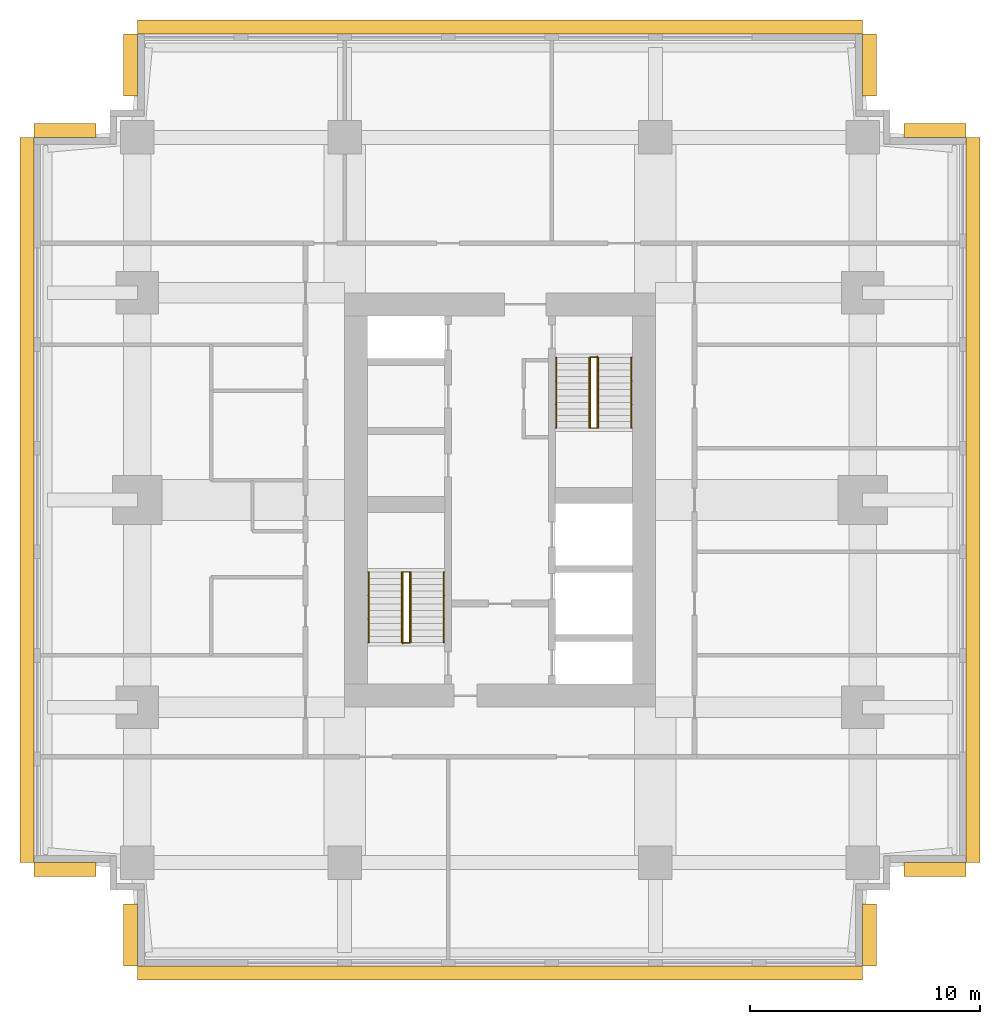
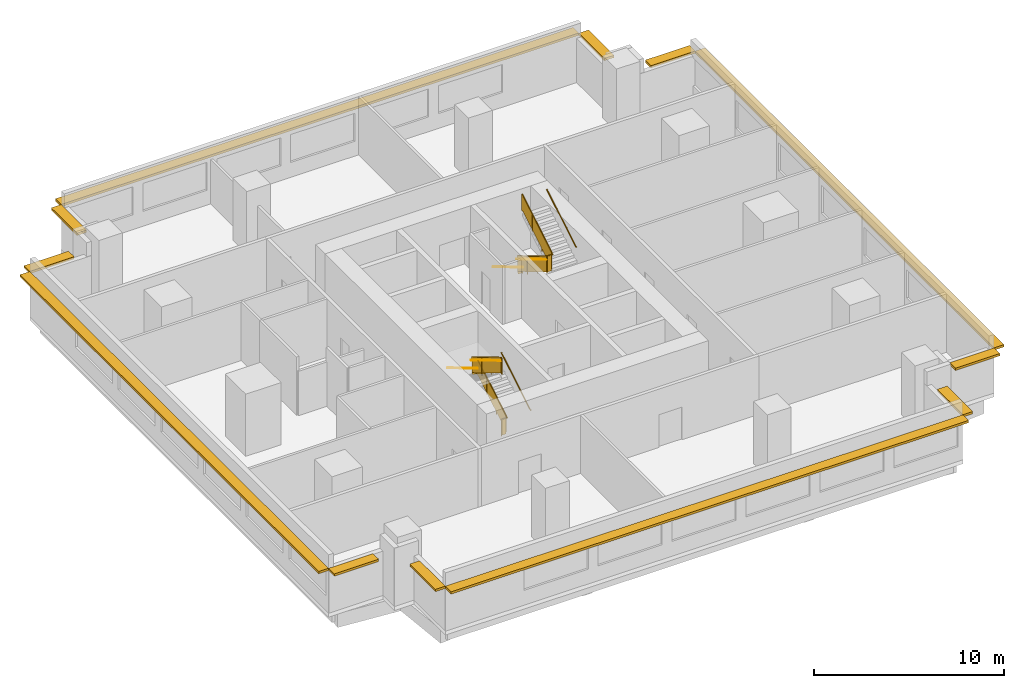
# One storey, part 5 of 5: 12 shading devices, 10 railings.
"""IFC4 building model written with IfcOpenShell, lengths in metres."""

from ifc_helpers import new_model, si_unit, direction, frame, origin, origin_2d, place, context, subcontext, project, spatial, polyline, rectangle, circle, outline, extrude, material, layer, layer_set, type_object, element, save


model = new_model("IFC4")

# Units and contexts
model_context = context("Model", 3, precision=1e-05, world=origin(), true_north=direction((0.0, 1.0)))
body_context = subcontext(model_context, "Body", "Model", "MODEL_VIEW")
ifc_project = project(units=[si_unit("LENGTHUNIT", "METRE"), si_unit("AREAUNIT", "SQUARE_METRE"), si_unit("VOLUMEUNIT", "CUBIC_METRE"), si_unit("PLANEANGLEUNIT", "RADIAN"), si_unit("MASSUNIT", "GRAM", prefix="KILO")], contexts=[model_context])

# Site, building, storey
site_placement = place(None, origin())
site = spatial("IfcSite", under=ifc_project, at=site_placement, CompositionType="ELEMENT")
building_placement = place(site_placement, origin())
building = spatial("IfcBuilding", under=site, at=building_placement, Name="Namib Vertical Campus", CompositionType="ELEMENT")
storey_placement = place(building_placement, frame((0.0, 0.0, 257.0)))
storey = spatial("IfcBuildingStorey", under=building, at=storey_placement, Name="L60", CompositionType="ELEMENT", Elevation=257.0)

# Railings
ifc_material_1 = material(Name="Steel handrail", Category="steel")
railing_type_1 = type_object("IfcRailingType", Name="Handrail 900", PredefinedType="HANDRAIL", material=ifc_material_1)
railing_1_placement = place(storey_placement, frame((17.800048828125, 14.050048828125, 0.166748046875)))
element("IfcRailing", 1, at=railing_1_placement, inside=storey, type_object=railing_type_1, Name="Handrail HR1 A-S1 L60 1", PredefinedType="HANDRAIL", context=body_context, shape_type="SweptSolid", body=[
    extrude(circle(Radius=0.02392578125, at=origin_2d()), frame((0.0, 0.0, 0.8759765625), z_axis=(0.0, 0.859290745958, 0.51148745235), x_axis=(-1.0, 0.0, 0.0)), (0.0, 0.0, 1.0), 3.584228515625),
    extrude(circle(Radius=0.008056640625, at=origin_2d()), frame((0.0, 0.0, 0.8759765625), z_axis=(1.0, 0.0, 0.0), x_axis=(0.0, 0.0, 1.0)), (0.0, 0.0, 1.0), 0.050048828125),
    extrude(circle(Radius=0.008056640625, at=origin_2d()), frame((0.0, 1.026611328125, 1.48681640625), z_axis=(1.0, 0.0, 0.0), x_axis=(0.0, 0.0, 1.0)), (0.0, 0.0, 1.0), 0.050048828125),
    extrude(circle(Radius=0.008056640625, at=origin_2d()), frame((0.0, 2.05322265625, 2.09814453125), z_axis=(1.0, 0.0, 0.0), x_axis=(0.0, 0.0, 1.0)), (0.0, 0.0, 1.0), 0.050048828125),
    extrude(circle(Radius=0.008056640625, at=origin_2d()), frame((0.0, 3.079833984375, 2.708984375), z_axis=(1.0, 0.0, 0.0), x_axis=(0.0, 0.0, 1.0)), (0.0, 0.0, 1.0), 0.050048828125),
])
railing_2_placement = place(storey_placement, frame((14.550048828125, 17.1298828125, 2.166748046875)))
element("IfcRailing", 2, at=railing_2_placement, inside=storey, type_object=railing_type_1, Name="Handrail HR1 A-S1 L60 2", PredefinedType="HANDRAIL", context=body_context, shape_type="SweptSolid", body=[
    extrude(circle(Radius=0.02392578125, at=origin_2d()), frame((0.0, 0.0, 0.8759765625), z_axis=(0.0, -0.859290745958, 0.51148745235), x_axis=(1.0, 0.0, 0.0)), (0.0, 0.0, 1.0), 3.584228515625),
    extrude(circle(Radius=0.008056640625, at=origin_2d()), frame((0.0, 0.0, 0.8759765625), z_axis=(-1.0, 0.0, 0.0), x_axis=(0.0, 0.0, 1.0)), (0.0, 0.0, 1.0), 0.050048828125),
    extrude(circle(Radius=0.008056640625, at=origin_2d()), frame((0.0, -1.026611328125, 1.48681640625), z_axis=(-1.0, 0.0, 0.0), x_axis=(0.0, 0.0, 1.0)), (0.0, 0.0, 1.0), 0.050048828125),
    extrude(circle(Radius=0.008056640625, at=origin_2d()), frame((0.0, -2.05322265625, 2.09814453125), z_axis=(-1.0, 0.0, 0.0), x_axis=(0.0, 0.0, 1.0)), (0.0, 0.0, 1.0), 0.050048828125),
    extrude(circle(Radius=0.008056640625, at=origin_2d()), frame((0.0, -3.079833984375, 2.708984375), z_axis=(-1.0, 0.0, 0.0), x_axis=(0.0, 0.0, 1.0)), (0.0, 0.0, 1.0), 0.050048828125),
])
railing_3_placement = place(storey_placement, frame((16.375, 14.050048828125, 0.166748046875)))
element("IfcRailing", 3, at=railing_3_placement, inside=storey, type_object=railing_type_1, Name="Handrail HR1 A-S1 L60 1 at the well", PredefinedType="HANDRAIL", context=body_context, shape_type="SweptSolid", body=[
    extrude(circle(Radius=0.02392578125, at=origin_2d()), frame((0.0, 0.0, 0.8759765625), z_axis=(0.0, 0.859290745958, 0.51148745235), x_axis=(-1.0, 0.0, 0.0)), (0.0, 0.0, 1.0), 3.584228515625),
    extrude(circle(Radius=0.008056640625, at=origin_2d()), frame((0.0, 0.0, 0.8759765625), z_axis=(-1.0, 0.0, 0.0), x_axis=(0.0, 0.0, 1.0)), (0.0, 0.0, 1.0), 0.0400390625),
    extrude(circle(Radius=0.008056640625, at=origin_2d()), frame((0.0, 1.026611328125, 1.48681640625), z_axis=(-1.0, 0.0, 0.0), x_axis=(0.0, 0.0, 1.0)), (0.0, 0.0, 1.0), 0.0400390625),
    extrude(circle(Radius=0.008056640625, at=origin_2d()), frame((0.0, 2.05322265625, 2.09814453125), z_axis=(-1.0, 0.0, 0.0), x_axis=(0.0, 0.0, 1.0)), (0.0, 0.0, 1.0), 0.0400390625),
    extrude(circle(Radius=0.008056640625, at=origin_2d()), frame((0.0, 3.079833984375, 2.708984375), z_axis=(-1.0, 0.0, 0.0), x_axis=(0.0, 0.0, 1.0)), (0.0, 0.0, 1.0), 0.0400390625),
])
railing_4_placement = place(storey_placement, frame((15.97509765625, 17.1298828125, 2.166748046875)))
element("IfcRailing", 4, at=railing_4_placement, inside=storey, type_object=railing_type_1, Name="Handrail HR1 A-S1 L60 2 at the well", PredefinedType="HANDRAIL", context=body_context, shape_type="SweptSolid", body=[
    extrude(circle(Radius=0.02392578125, at=origin_2d()), frame((0.0, 0.0, 0.8759765625), z_axis=(0.0, -0.859290745958, 0.51148745235), x_axis=(1.0, 0.0, 0.0)), (0.0, 0.0, 1.0), 3.584228515625),
    extrude(circle(Radius=0.008056640625, at=origin_2d()), frame((0.0, 0.0, 0.8759765625), z_axis=(1.0, 0.0, 0.0), x_axis=(0.0, 0.0, 1.0)), (0.0, 0.0, 1.0), 0.0400390625),
    extrude(circle(Radius=0.008056640625, at=origin_2d()), frame((0.0, -1.026611328125, 1.48681640625), z_axis=(1.0, 0.0, 0.0), x_axis=(0.0, 0.0, 1.0)), (0.0, 0.0, 1.0), 0.0400390625),
    extrude(circle(Radius=0.008056640625, at=origin_2d()), frame((0.0, -2.05322265625, 2.09814453125), z_axis=(1.0, 0.0, 0.0), x_axis=(0.0, 0.0, 1.0)), (0.0, 0.0, 1.0), 0.0400390625),
    extrude(circle(Radius=0.008056640625, at=origin_2d()), frame((0.0, -3.079833984375, 2.708984375), z_axis=(1.0, 0.0, 0.0), x_axis=(0.0, 0.0, 1.0)), (0.0, 0.0, 1.0), 0.0400390625),
])
railing_5_placement = place(storey_placement, frame((22.699951171875, 26.449951171875, 0.166748046875)))
element("IfcRailing", 5, at=railing_5_placement, inside=storey, type_object=railing_type_1, Name="Handrail HR1 A-S2 L60 1", PredefinedType="HANDRAIL", context=body_context, shape_type="SweptSolid", body=[
    extrude(circle(Radius=0.02392578125, at=origin_2d()), frame((0.0, 0.0, 0.8759765625), z_axis=(0.0, -0.859290745958, 0.51148745235), x_axis=(1.0, 0.0, 0.0)), (0.0, 0.0, 1.0), 3.584228515625),
    extrude(circle(Radius=0.008056640625, at=origin_2d()), frame((0.0, 0.0, 0.8759765625), z_axis=(-1.0, 0.0, 0.0), x_axis=(0.0, 0.0, 1.0)), (0.0, 0.0, 1.0), 0.050048828125),
    extrude(circle(Radius=0.008056640625, at=origin_2d()), frame((0.0, -1.026611328125, 1.48681640625), z_axis=(-1.0, 0.0, 0.0), x_axis=(0.0, 0.0, 1.0)), (0.0, 0.0, 1.0), 0.050048828125),
    extrude(circle(Radius=0.008056640625, at=origin_2d()), frame((0.0, -2.05322265625, 2.09814453125), z_axis=(-1.0, 0.0, 0.0), x_axis=(0.0, 0.0, 1.0)), (0.0, 0.0, 1.0), 0.050048828125),
    extrude(circle(Radius=0.008056640625, at=origin_2d()), frame((0.0, -3.079833984375, 2.708984375), z_axis=(-1.0, 0.0, 0.0), x_axis=(0.0, 0.0, 1.0)), (0.0, 0.0, 1.0), 0.050048828125),
])
railing_6_placement = place(storey_placement, frame((25.949951171875, 23.3701171875, 2.166748046875)))
element("IfcRailing", 6, at=railing_6_placement, inside=storey, type_object=railing_type_1, Name="Handrail HR1 A-S2 L60 2", PredefinedType="HANDRAIL", context=body_context, shape_type="SweptSolid", body=[
    extrude(circle(Radius=0.02392578125, at=origin_2d()), frame((0.0, 0.0, 0.8759765625), z_axis=(0.0, 0.859290745958, 0.51148745235), x_axis=(-1.0, 0.0, 0.0)), (0.0, 0.0, 1.0), 3.584228515625),
    extrude(circle(Radius=0.008056640625, at=origin_2d()), frame((0.0, 0.0, 0.8759765625), z_axis=(1.0, 0.0, 0.0), x_axis=(0.0, 0.0, 1.0)), (0.0, 0.0, 1.0), 0.050048828125),
    extrude(circle(Radius=0.008056640625, at=origin_2d()), frame((0.0, 1.026611328125, 1.48681640625), z_axis=(1.0, 0.0, 0.0), x_axis=(0.0, 0.0, 1.0)), (0.0, 0.0, 1.0), 0.050048828125),
    extrude(circle(Radius=0.008056640625, at=origin_2d()), frame((0.0, 2.05322265625, 2.09814453125), z_axis=(1.0, 0.0, 0.0), x_axis=(0.0, 0.0, 1.0)), (0.0, 0.0, 1.0), 0.050048828125),
    extrude(circle(Radius=0.008056640625, at=origin_2d()), frame((0.0, 3.079833984375, 2.708984375), z_axis=(1.0, 0.0, 0.0), x_axis=(0.0, 0.0, 1.0)), (0.0, 0.0, 1.0), 0.050048828125),
])
railing_7_placement = place(storey_placement, frame((24.125, 26.449951171875, 0.166748046875)))
element("IfcRailing", 7, at=railing_7_placement, inside=storey, type_object=railing_type_1, Name="Handrail HR1 A-S2 L60 1 at the well", PredefinedType="HANDRAIL", context=body_context, shape_type="SweptSolid", body=[
    extrude(circle(Radius=0.02392578125, at=origin_2d()), frame((0.0, 0.0, 0.8759765625), z_axis=(0.0, -0.859290745958, 0.51148745235), x_axis=(1.0, 0.0, 0.0)), (0.0, 0.0, 1.0), 3.584228515625),
    extrude(circle(Radius=0.008056640625, at=origin_2d()), frame((0.0, 0.0, 0.8759765625), z_axis=(1.0, 0.0, 0.0), x_axis=(0.0, 0.0, 1.0)), (0.0, 0.0, 1.0), 0.0400390625),
    extrude(circle(Radius=0.008056640625, at=origin_2d()), frame((0.0, -1.026611328125, 1.48681640625), z_axis=(1.0, 0.0, 0.0), x_axis=(0.0, 0.0, 1.0)), (0.0, 0.0, 1.0), 0.0400390625),
    extrude(circle(Radius=0.008056640625, at=origin_2d()), frame((0.0, -2.05322265625, 2.09814453125), z_axis=(1.0, 0.0, 0.0), x_axis=(0.0, 0.0, 1.0)), (0.0, 0.0, 1.0), 0.0400390625),
    extrude(circle(Radius=0.008056640625, at=origin_2d()), frame((0.0, -3.079833984375, 2.708984375), z_axis=(1.0, 0.0, 0.0), x_axis=(0.0, 0.0, 1.0)), (0.0, 0.0, 1.0), 0.0400390625),
])
railing_8_placement = place(storey_placement, frame((24.52490234375, 23.3701171875, 2.166748046875)))
element("IfcRailing", 8, at=railing_8_placement, inside=storey, type_object=railing_type_1, Name="Handrail HR1 A-S2 L60 2 at the well", PredefinedType="HANDRAIL", context=body_context, shape_type="SweptSolid", body=[
    extrude(circle(Radius=0.02392578125, at=origin_2d()), frame((0.0, 0.0, 0.8759765625), z_axis=(0.0, 0.859290745958, 0.51148745235), x_axis=(-1.0, 0.0, 0.0)), (0.0, 0.0, 1.0), 3.584228515625),
    extrude(circle(Radius=0.008056640625, at=origin_2d()), frame((0.0, 0.0, 0.8759765625), z_axis=(-1.0, 0.0, 0.0), x_axis=(0.0, 0.0, 1.0)), (0.0, 0.0, 1.0), 0.0400390625),
    extrude(circle(Radius=0.008056640625, at=origin_2d()), frame((0.0, 1.026611328125, 1.48681640625), z_axis=(-1.0, 0.0, 0.0), x_axis=(0.0, 0.0, 1.0)), (0.0, 0.0, 1.0), 0.0400390625),
    extrude(circle(Radius=0.008056640625, at=origin_2d()), frame((0.0, 2.05322265625, 2.09814453125), z_axis=(-1.0, 0.0, 0.0), x_axis=(0.0, 0.0, 1.0)), (0.0, 0.0, 1.0), 0.0400390625),
    extrude(circle(Radius=0.008056640625, at=origin_2d()), frame((0.0, 3.079833984375, 2.708984375), z_axis=(-1.0, 0.0, 0.0), x_axis=(0.0, 0.0, 1.0)), (0.0, 0.0, 1.0), 0.0400390625),
])
ifc_material_2 = material(Name="Steel balustrade", Category="steel")
railing_type_2 = type_object("IfcRailingType", Name="Stair guard 1100", PredefinedType="GUARDRAIL", material=ifc_material_2)
railing_9_placement = place(storey_placement, frame((16.02490234375, 14.050048828125, 0.0)))
element("IfcRailing", 9, at=railing_9_placement, inside=storey, type_object=railing_type_2, Name="Stair guard GR1 A-S1 L60", PredefinedType="GUARDRAIL", context=body_context, shape_type="SweptSolid", body=[
    extrude(circle(Radius=0.02392578125, at=origin_2d()), frame((0.0, 0.0, 1.076171875), z_axis=(1.0, 0.0, 0.0), x_axis=(0.0, 1.0, 0.0)), (0.0, 0.0, 1.0), 0.300048828125),
    extrude(outline(polyline([(0.02099609375, 0.050048828125), (0.279052734375, 0.050048828125), (0.279052734375, 1.052001953125), (0.02099609375, 1.052001953125), (0.02099609375, 0.050048828125)])), frame((0.0, 0.010009765625, 0.0), z_axis=(0.0, -1.0, 0.0), x_axis=(1.0, 0.0, 0.0)), (0.0, 0.0, 1.0), 0.02001953125),
    extrude(circle(Radius=0.02392578125, at=origin_2d()), frame((0.300048828125, 0.0, 1.076171875), z_axis=(0.0, 0.0, 1.0), x_axis=(1.0, 0.0, 0.0)), (0.0, 0.0, 1.0), 0.166748046875),
    extrude(circle(Radius=0.02392578125, at=origin_2d()), frame((0.300048828125, 0.0, 1.24267578125), z_axis=(0.0, 0.859290745958, 0.51148745235), x_axis=(-1.0, 0.0, 0.0)), (0.0, 0.0, 1.0), 3.584228515625),
    extrude(outline(polyline([(0.02099609375, 0.0625), (3.058837890625, 1.870849609375), (3.058837890625, 2.872802734375), (0.02099609375, 1.064453125), (0.02099609375, 0.0625)])), frame((0.2900390625, 0.0, 0.166748046875), z_axis=(1.0, 0.0, 0.0), x_axis=(0.0, 1.0, 0.0)), (0.0, 0.0, 1.0), 0.02001953125),
    extrude(circle(Radius=0.02392578125, at=origin_2d()), frame((0.300048828125, 3.079833984375, 3.076171875), z_axis=(-1.0, 0.0, 0.0), x_axis=(0.0, -1.0, 0.0)), (0.0, 0.0, 1.0), 0.300048828125),
    extrude(outline(polyline([(0.02099609375, 0.050048828125), (0.279052734375, 0.050048828125), (0.279052734375, 1.052001953125), (0.02099609375, 1.052001953125), (0.02099609375, 0.050048828125)])), frame((0.300048828125, 3.06982421875, 2.0), z_axis=(0.0, 1.0, 0.0), x_axis=(-1.0, 0.0, 0.0)), (0.0, 0.0, 1.0), 0.02001953125),
    extrude(circle(Radius=0.02392578125, at=origin_2d()), frame((0.0, 3.079833984375, 3.076171875), z_axis=(0.0, 0.0, 1.0), x_axis=(1.0, 0.0, 0.0)), (0.0, 0.0, 1.0), 0.166748046875),
    extrude(circle(Radius=0.02392578125, at=origin_2d()), frame((0.0, 3.079833984375, 3.24267578125), z_axis=(0.0, -0.859290745958, 0.51148745235), x_axis=(1.0, 0.0, 0.0)), (0.0, 0.0, 1.0), 3.584228515625),
    extrude(outline(polyline([(0.02099609375, 0.0625), (3.058837890625, 1.870849609375), (3.058837890625, 2.872802734375), (0.02099609375, 1.064453125), (0.02099609375, 0.0625)])), frame((0.010009765625, 3.079833984375, 2.166748046875), z_axis=(-1.0, 0.0, 0.0), x_axis=(0.0, -1.0, 0.0)), (0.0, 0.0, 1.0), 0.02001953125),
    extrude(circle(Radius=0.02392578125, at=origin_2d()), frame((0.0, 0.0, 5.076171875), z_axis=(0.0, -1.0, 0.0), x_axis=(1.0, 0.0, 0.0)), (0.0, 0.0, 1.0), 0.050048828125),
    extrude(outline(polyline([(0.02099609375, 0.050048828125), (0.029052734375, 0.050048828125), (0.029052734375, 1.052001953125), (0.02099609375, 1.052001953125), (0.02099609375, 0.050048828125)])), frame((0.010009765625, 0.0, 4.0), z_axis=(-1.0, 0.0, 0.0), x_axis=(0.0, -1.0, 0.0)), (0.0, 0.0, 1.0), 0.02001953125),
    extrude(circle(Radius=0.02099609375, at=origin_2d()), origin(), (0.0, 0.0, 1.0), 1.052001953125),
    extrude(circle(Radius=0.02099609375, at=origin_2d()), frame((0.300048828125, 0.0, 0.166748046875)), (0.0, 0.0, 1.0), 1.052001953125),
    extrude(circle(Radius=0.02099609375, at=origin_2d()), frame((0.300048828125, 1.026611328125, 0.666748046875)), (0.0, 0.0, 1.0), 1.1630859375),
    extrude(circle(Radius=0.02099609375, at=origin_2d()), frame((0.300048828125, 2.05322265625, 1.33349609375)), (0.0, 0.0, 1.0), 1.107421875),
    extrude(circle(Radius=0.02099609375, at=origin_2d()), frame((0.300048828125, 3.079833984375, 2.0)), (0.0, 0.0, 1.0), 1.052001953125),
    extrude(circle(Radius=0.02099609375, at=origin_2d()), frame((0.0, 3.079833984375, 2.166748046875)), (0.0, 0.0, 1.0), 1.052001953125),
    extrude(circle(Radius=0.02099609375, at=origin_2d()), frame((0.0, 2.05322265625, 2.666748046875)), (0.0, 0.0, 1.0), 1.1630859375),
    extrude(circle(Radius=0.02099609375, at=origin_2d()), frame((0.0, 1.026611328125, 3.33349609375)), (0.0, 0.0, 1.0), 1.107421875),
    extrude(circle(Radius=0.02099609375, at=origin_2d()), frame((0.0, 0.0, 4.0)), (0.0, 0.0, 1.0), 1.052001953125),
    extrude(circle(Radius=0.02099609375, at=origin_2d()), frame((0.0, -0.050048828125, 4.0)), (0.0, 0.0, 1.0), 1.052001953125),
])
railing_10_placement = place(storey_placement, frame((24.47509765625, 26.449951171875, 0.0)))
element("IfcRailing", 10, at=railing_10_placement, inside=storey, type_object=railing_type_2, Name="Stair guard GR1 A-S2 L60", PredefinedType="GUARDRAIL", context=body_context, shape_type="SweptSolid", body=[
    extrude(circle(Radius=0.02392578125, at=origin_2d()), frame((0.0, 0.0, 1.076171875), z_axis=(-1.0, 0.0, 0.0), x_axis=(0.0, -1.0, 0.0)), (0.0, 0.0, 1.0), 0.300048828125),
    extrude(outline(polyline([(0.02099609375, 0.050048828125), (0.279052734375, 0.050048828125), (0.279052734375, 1.052001953125), (0.02099609375, 1.052001953125), (0.02099609375, 0.050048828125)])), frame((0.0, -0.010009765625, 0.0), z_axis=(0.0, 1.0, 0.0), x_axis=(-1.0, 0.0, 0.0)), (0.0, 0.0, 1.0), 0.02001953125),
    extrude(circle(Radius=0.02392578125, at=origin_2d()), frame((-0.300048828125, 0.0, 1.076171875), z_axis=(0.0, 0.0, 1.0), x_axis=(1.0, 0.0, 0.0)), (0.0, 0.0, 1.0), 0.166748046875),
    extrude(circle(Radius=0.02392578125, at=origin_2d()), frame((-0.300048828125, 0.0, 1.24267578125), z_axis=(0.0, -0.859290745958, 0.51148745235), x_axis=(1.0, 0.0, 0.0)), (0.0, 0.0, 1.0), 3.584228515625),
    extrude(outline(polyline([(0.02099609375, 0.0625), (3.058837890625, 1.870849609375), (3.058837890625, 2.872802734375), (0.02099609375, 1.064453125), (0.02099609375, 0.0625)])), frame((-0.2900390625, 0.0, 0.166748046875), z_axis=(-1.0, 0.0, 0.0), x_axis=(0.0, -1.0, 0.0)), (0.0, 0.0, 1.0), 0.02001953125),
    extrude(circle(Radius=0.02392578125, at=origin_2d()), frame((-0.300048828125, -3.079833984375, 3.076171875), z_axis=(1.0, 0.0, 0.0), x_axis=(0.0, 1.0, 0.0)), (0.0, 0.0, 1.0), 0.300048828125),
    extrude(outline(polyline([(0.02099609375, 0.050048828125), (0.279052734375, 0.050048828125), (0.279052734375, 1.052001953125), (0.02099609375, 1.052001953125), (0.02099609375, 0.050048828125)])), frame((-0.300048828125, -3.06982421875, 2.0), z_axis=(0.0, -1.0, 0.0), x_axis=(1.0, 0.0, 0.0)), (0.0, 0.0, 1.0), 0.02001953125),
    extrude(circle(Radius=0.02392578125, at=origin_2d()), frame((0.0, -3.079833984375, 3.076171875), z_axis=(0.0, 0.0, 1.0), x_axis=(1.0, 0.0, 0.0)), (0.0, 0.0, 1.0), 0.166748046875),
    extrude(circle(Radius=0.02392578125, at=origin_2d()), frame((0.0, -3.079833984375, 3.24267578125), z_axis=(0.0, 0.859290745958, 0.51148745235), x_axis=(-1.0, 0.0, 0.0)), (0.0, 0.0, 1.0), 3.584228515625),
    extrude(outline(polyline([(0.02099609375, 0.0625), (3.058837890625, 1.870849609375), (3.058837890625, 2.872802734375), (0.02099609375, 1.064453125), (0.02099609375, 0.0625)])), frame((-0.010009765625, -3.079833984375, 2.166748046875), z_axis=(1.0, 0.0, 0.0), x_axis=(0.0, 1.0, 0.0)), (0.0, 0.0, 1.0), 0.02001953125),
    extrude(circle(Radius=0.02392578125, at=origin_2d()), frame((0.0, 0.0, 5.076171875), z_axis=(0.0, 1.0, 0.0), x_axis=(-1.0, 0.0, 0.0)), (0.0, 0.0, 1.0), 0.050048828125),
    extrude(outline(polyline([(0.02099609375, 0.050048828125), (0.029052734375, 0.050048828125), (0.029052734375, 1.052001953125), (0.02099609375, 1.052001953125), (0.02099609375, 0.050048828125)])), frame((-0.010009765625, 0.0, 4.0), z_axis=(1.0, 0.0, 0.0), x_axis=(0.0, 1.0, 0.0)), (0.0, 0.0, 1.0), 0.02001953125),
    extrude(circle(Radius=0.02099609375, at=origin_2d()), origin(), (0.0, 0.0, 1.0), 1.052001953125),
    extrude(circle(Radius=0.02099609375, at=origin_2d()), frame((-0.300048828125, 0.0, 0.166748046875)), (0.0, 0.0, 1.0), 1.052001953125),
    extrude(circle(Radius=0.02099609375, at=origin_2d()), frame((-0.300048828125, -1.026611328125, 0.666748046875)), (0.0, 0.0, 1.0), 1.1630859375),
    extrude(circle(Radius=0.02099609375, at=origin_2d()), frame((-0.300048828125, -2.05322265625, 1.33349609375)), (0.0, 0.0, 1.0), 1.107421875),
    extrude(circle(Radius=0.02099609375, at=origin_2d()), frame((-0.300048828125, -3.079833984375, 2.0)), (0.0, 0.0, 1.0), 1.052001953125),
    extrude(circle(Radius=0.02099609375, at=origin_2d()), frame((0.0, -3.079833984375, 2.166748046875)), (0.0, 0.0, 1.0), 1.052001953125),
    extrude(circle(Radius=0.02099609375, at=origin_2d()), frame((0.0, -2.05322265625, 2.666748046875)), (0.0, 0.0, 1.0), 1.1630859375),
    extrude(circle(Radius=0.02099609375, at=origin_2d()), frame((0.0, -1.026611328125, 3.33349609375)), (0.0, 0.0, 1.0), 1.107421875),
    extrude(circle(Radius=0.02099609375, at=origin_2d()), frame((0.0, 0.0, 4.0)), (0.0, 0.0, 1.0), 1.052001953125),
    extrude(circle(Radius=0.02099609375, at=origin_2d()), frame((0.0, 0.050048828125, 4.0)), (0.0, 0.0, 1.0), 1.052001953125),
])

# Shading devices
ifc_material_3 = material(Name="Concrete C40/50 precast", Category="concrete")
ifc_layer = layer(ifc_material_3, 0.14990234375)
ifc_layer_set = layer_set([ifc_layer], Name="Concrete C40/50 precast")
shading_device_type = type_object("IfcShadingDeviceType", Name="Sunshade hood 600", PredefinedType="SHUTTER", material=ifc_layer_set)
shading_device_1_placement = place(storey_placement, frame((20.25, -0.300048828125, 2.75), z_axis=(0.0, 0.0, 1.0), x_axis=(1.0, 0.0, 0.0)))
element("IfcShadingDevice", 11, at=shading_device_1_placement, inside=storey, type_object=shading_device_type, Name="Sunshade SH3 L60 1", PredefinedType="SHUTTER", context=body_context, shape_type="SweptSolid", body=[
    extrude(rectangle(XDim=31.5, YDim=0.60009765625, at=origin_2d()), origin(), (0.0, 0.0, 1.0), 0.14990234375),
])
for number, where, z_axis, x_axis, name in (
    (12, (36.300048828125, 1.35009765625, 2.75), (0.0, 0.0, 1.0), (0.0, 1.0, 0.0), "Sunshade SH3 L60 2"),
    (13, (39.14990234375, 4.199951171875, 2.75), (0.0, 0.0, 1.0), (1.0, 0.0, 0.0), "Sunshade SH3 L60 5"),
):
    element("IfcShadingDevice", number, at=place(storey_placement, frame(where, z_axis=z_axis, x_axis=x_axis)), inside=storey, type_object=shading_device_type, Name=name, PredefinedType="SHUTTER", context=body_context, shape_type="SweptSolid", body=[
        extrude(rectangle(XDim=2.699951171875, YDim=0.60009765625, at=origin_2d()), origin(), (0.0, 0.0, 1.0), 0.14990234375),
    ])
shading_device_2_placement = place(storey_placement, frame((40.800048828125, 20.25, 2.75), z_axis=(0.0, 0.0, 1.0), x_axis=(0.0, 1.0, 0.0)))
element("IfcShadingDevice", 14, at=shading_device_2_placement, inside=storey, type_object=shading_device_type, Name="Sunshade SH3 L60 6", PredefinedType="SHUTTER", context=body_context, shape_type="SweptSolid", body=[
    extrude(rectangle(XDim=31.5, YDim=0.60009765625, at=origin_2d()), origin(), (0.0, 0.0, 1.0), 0.14990234375),
])
for number, where, z_axis, x_axis, name in (
    (15, (39.14990234375, 36.300048828125, 2.75), (0.0, 0.0, 1.0), (-1.0, 0.0, 0.0), "Sunshade SH3 L60 7"),
    (16, (36.300048828125, 39.14990234375, 2.75), (0.0, 0.0, 1.0), (0.0, 1.0, 0.0), "Sunshade SH3 L60 10"),
):
    element("IfcShadingDevice", number, at=place(storey_placement, frame(where, z_axis=z_axis, x_axis=x_axis)), inside=storey, type_object=shading_device_type, Name=name, PredefinedType="SHUTTER", context=body_context, shape_type="SweptSolid", body=[
        extrude(rectangle(XDim=2.699951171875, YDim=0.60009765625, at=origin_2d()), origin(), (0.0, 0.0, 1.0), 0.14990234375),
    ])
shading_device_3_placement = place(storey_placement, frame((20.25, 40.800048828125, 2.75), z_axis=(0.0, 0.0, 1.0), x_axis=(-1.0, 0.0, 0.0)))
element("IfcShadingDevice", 17, at=shading_device_3_placement, inside=storey, type_object=shading_device_type, Name="Sunshade SH3 L60 11", PredefinedType="SHUTTER", context=body_context, shape_type="SweptSolid", body=[
    extrude(rectangle(XDim=31.5, YDim=0.60009765625, at=origin_2d()), origin(), (0.0, 0.0, 1.0), 0.14990234375),
])
for number, where, z_axis, x_axis, name in (
    (18, (4.199951171875, 39.14990234375, 2.75), (0.0, 0.0, 1.0), (0.0, -1.0, 0.0), "Sunshade SH3 L60 12"),
    (19, (1.35009765625, 36.300048828125, 2.75), (0.0, 0.0, 1.0), (-1.0, 0.0, 0.0), "Sunshade SH3 L60 15"),
):
    element("IfcShadingDevice", number, at=place(storey_placement, frame(where, z_axis=z_axis, x_axis=x_axis)), inside=storey, type_object=shading_device_type, Name=name, PredefinedType="SHUTTER", context=body_context, shape_type="SweptSolid", body=[
        extrude(rectangle(XDim=2.699951171875, YDim=0.60009765625, at=origin_2d()), origin(), (0.0, 0.0, 1.0), 0.14990234375),
    ])
shading_device_4_placement = place(storey_placement, frame((-0.300048828125, 20.25, 2.75), z_axis=(0.0, 0.0, 1.0), x_axis=(0.0, -1.0, 0.0)))
element("IfcShadingDevice", 20, at=shading_device_4_placement, inside=storey, type_object=shading_device_type, Name="Sunshade SH3 L60 16", PredefinedType="SHUTTER", context=body_context, shape_type="SweptSolid", body=[
    extrude(rectangle(XDim=31.5, YDim=0.60009765625, at=origin_2d()), origin(), (0.0, 0.0, 1.0), 0.14990234375),
])
for number, where, z_axis, x_axis, name in (
    (21, (1.35009765625, 4.199951171875, 2.75), (0.0, 0.0, 1.0), (1.0, 0.0, 0.0), "Sunshade SH3 L60 17"),
    (22, (4.199951171875, 1.35009765625, 2.75), (0.0, 0.0, 1.0), (0.0, -1.0, 0.0), "Sunshade SH3 L60 20"),
):
    element("IfcShadingDevice", number, at=place(storey_placement, frame(where, z_axis=z_axis, x_axis=x_axis)), inside=storey, type_object=shading_device_type, Name=name, PredefinedType="SHUTTER", context=body_context, shape_type="SweptSolid", body=[
        extrude(rectangle(XDim=2.699951171875, YDim=0.60009765625, at=origin_2d()), origin(), (0.0, 0.0, 1.0), 0.14990234375),
    ])

save(model, "model.ifc")
